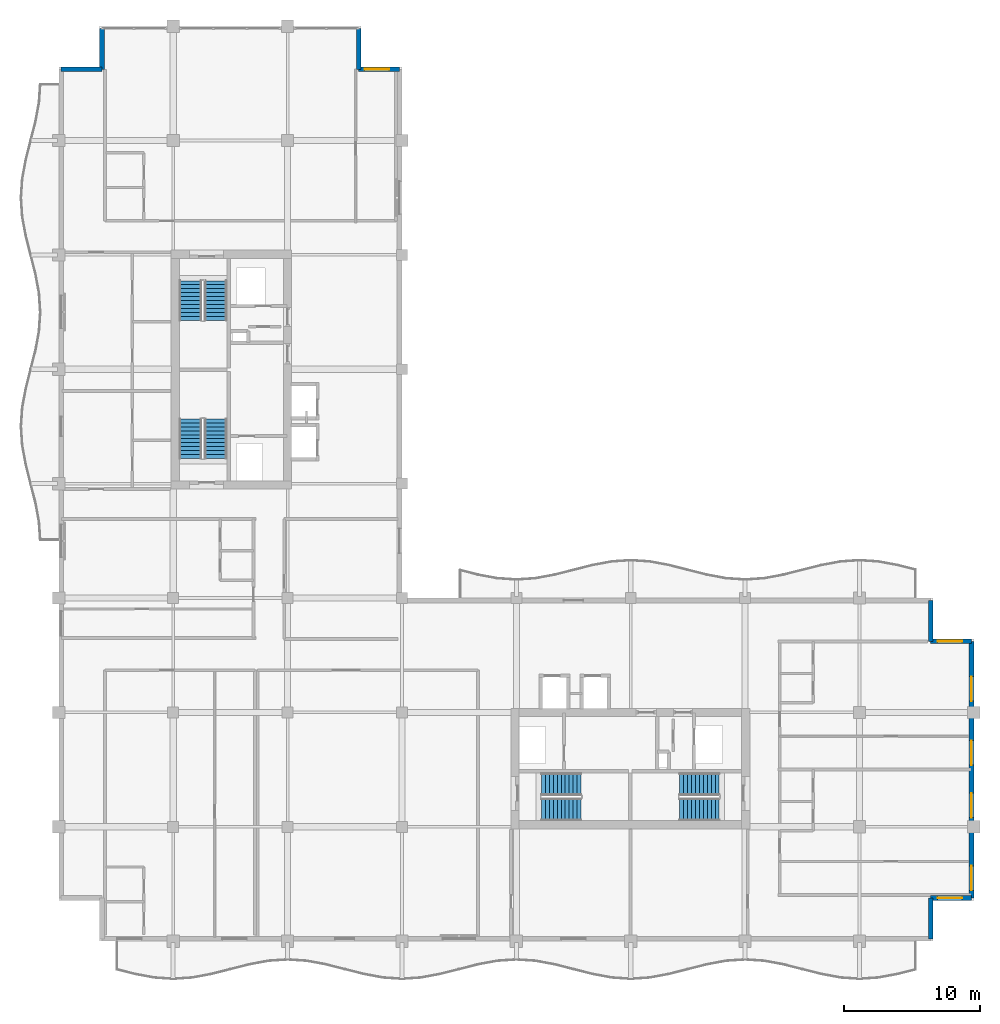
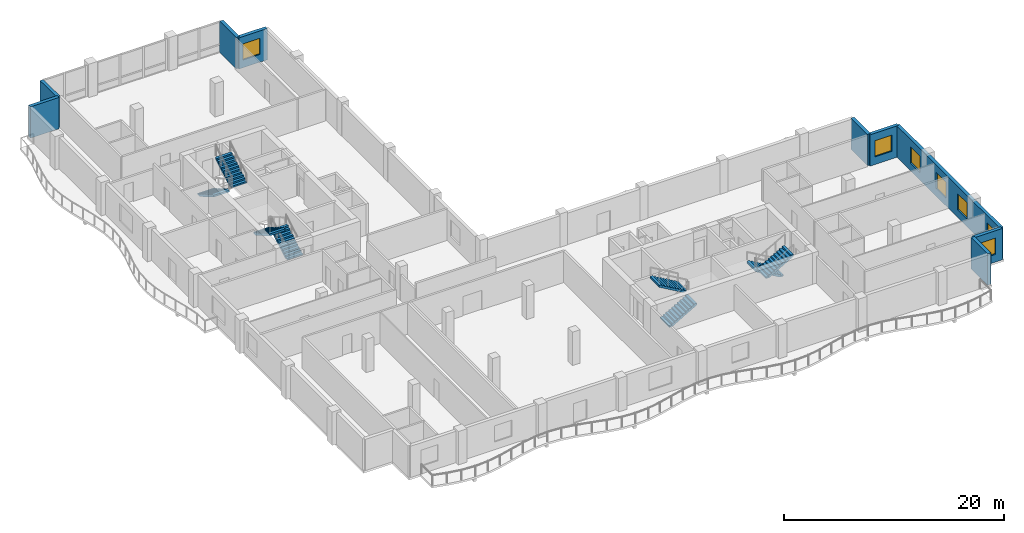
# One storey, part 11 of 16: 9 walls, 8 stair flights, 7 windows, 7 openings, 4 elements without a shape of their own.
"""IFC4 building model written with IfcOpenShell, lengths in metres."""

from ifc_helpers import new_model, si_unit, direction, frame, frame_2d, origin, place, context, subcontext, project, spatial, polyline, rectangle, outline, extrude, material, layer, layer_set, type_object, element, fill, aggregate, save


model = new_model("IFC4")

# Units and contexts
model_context = context("Model", 3, precision=1e-05, world=origin(), true_north=direction((0.0, 1.0)))
body_context = subcontext(model_context, "Body", "Model", "MODEL_VIEW")
ifc_project = project(units=[si_unit("LENGTHUNIT", "METRE"), si_unit("AREAUNIT", "SQUARE_METRE"), si_unit("VOLUMEUNIT", "CUBIC_METRE"), si_unit("PLANEANGLEUNIT", "RADIAN"), si_unit("MASSUNIT", "GRAM", prefix="KILO")], contexts=[model_context])

# Site, building, storey
site_placement = place(None, origin())
site = spatial("IfcSite", under=ifc_project, at=site_placement, CompositionType="ELEMENT")
building_placement = place(site_placement, origin())
building = spatial("IfcBuilding", under=site, at=building_placement, Name="Koriwani Terraces Tower", CompositionType="ELEMENT")
storey_placement = place(building_placement, frame((0.0, 0.0, 267.5)))
storey = spatial("IfcBuildingStorey", under=building, at=storey_placement, Name="L66", CompositionType="ELEMENT", Elevation=267.5)

# Walls
ifc_material_1 = material(Name="Concrete C50/60", Category="concrete")
ifc_layer = layer(ifc_material_1, 0.35009765625, Name="Concrete C50/60")
ifc_layer_set = layer_set([ifc_layer], Name="Concrete C50/60")
wall_type = type_object("IfcWallType", Name="WALL_EXT_BRUTALIST_350", PredefinedType="STANDARD", material=ifc_layer_set)
for number, where, z_axis, x_axis, name in (
    (1, (8.574951171875, 72.425048828125, 0.0), (0.0, 0.0, 1.0), (1.0, 0.0, 0.0), "L66 Fair-Faced Brutalist Exterior Wall (N3)"),
    (2, (11.574951171875, 72.425048828125, 0.0), (0.0, 0.0, 1.0), (0.0, 1.0, 0.0), "L66 Fair-Faced Brutalist Exterior Wall (N4)"),
    (3, (30.425048828125, 75.425048828125, 0.0), (0.0, 0.0, 1.0), (0.0, -1.0, 0.0), "L66 Fair-Faced Brutalist Exterior Wall (N6)"),
):
    element("IfcWall", number, at=place(storey_placement, frame(where, z_axis=z_axis, x_axis=x_axis)), inside=storey, type_object=wall_type, Name=name, PredefinedType="STANDARD", context=body_context, shape_type="SweptSolid", body=[
        extrude(rectangle(XDim=3.0, YDim=0.35009765625, at=frame_2d((1.5, 0.0))), origin(), (0.0, 0.0, 1.0), 3.469970703125),
    ])

# Wall, opening, window
wall_1_placement = place(storey_placement, frame((30.425048828125, 72.425048828125, 0.0), z_axis=(0.0, 0.0, 1.0), x_axis=(1.0, 0.0, 0.0)))
wall_1 = element("IfcWall", 4, at=wall_1_placement, inside=storey, type_object=wall_type, Name="L66 Fair-Faced Brutalist Exterior Wall (N7)", PredefinedType="STANDARD", context=body_context, shape_type="SweptSolid", body=[
    extrude(rectangle(XDim=3.0, YDim=0.35009765625, at=frame_2d((1.5, 0.0))), origin(), (0.0, 0.0, 1.0), 3.469970703125),
])
opening_1_placement = place(wall_1_placement, frame((0.4375, 0.0, 0.85009765625)))
opening_1 = element("IfcOpeningElement", 5, at=opening_1_placement, cuts=wall_1, Name="Opening W-04", PredefinedType="OPENING", context=body_context, shape_type="SweptSolid", body=[
    extrude(rectangle(XDim=1.800048828125, YDim=1.800048828125, at=frame_2d((0.89990234375, 0.89990234375))), frame((0.0, 0.18505859375, 0.0), z_axis=(0.0, -1.0, 0.0), x_axis=(1.0, 0.0, 0.0)), (0.0, 0.0, 1.0), 0.3701171875),
])
ifc_material_2 = material(Name="Tempered Laminated Low-E Glass", Category="glass")
window_type = type_object("IfcWindowType", Name="WIN_RES_BED_1800X1800", PartitioningType="DOUBLE_PANEL_VERTICAL", PredefinedType="WINDOW", material=ifc_material_2)
window_1_placement = place(opening_1_placement, origin())
window_1 = element("IfcWindow", 6, at=window_1_placement, inside=storey, type_object=window_type, Name="L66 Exterior Window (N7-R41)", OverallHeight=1.800048828125, OverallWidth=1.800048828125, PartitioningType="SINGLE_PANEL", PredefinedType="WINDOW", context=body_context, shape_type="SweptSolid", body=[
    extrude(rectangle(XDim=1.800048828125, YDim=1.800048828125, at=frame_2d((0.89990234375, 0.89990234375))), frame((0.0, 0.030029296875, 0.0), z_axis=(0.0, -1.0, 0.0), x_axis=(1.0, 0.0, 0.0)), (0.0, 0.0, 1.0), 0.06005859375),
])
fill(opening_1, window_1)

# Wall
wall_2_placement = place(storey_placement, frame((72.425048828125, 33.425048828125, 0.0), z_axis=(0.0, 0.0, 1.0), x_axis=(0.0, -1.0, 0.0)))
element("IfcWall", 7, at=wall_2_placement, inside=storey, type_object=wall_type, Name="L66 Fair-Faced Brutalist Exterior Wall (N10)", PredefinedType="STANDARD", context=body_context, shape_type="SweptSolid", body=[
    extrude(rectangle(XDim=3.0, YDim=0.35009765625, at=frame_2d((1.5, 0.0))), origin(), (0.0, 0.0, 1.0), 3.469970703125),
])

# Wall, opening, window
wall_3_placement = place(storey_placement, frame((72.425048828125, 30.425048828125, 0.0), z_axis=(0.0, 0.0, 1.0), x_axis=(1.0, 0.0, 0.0)))
wall_3 = element("IfcWall", 8, at=wall_3_placement, inside=storey, type_object=wall_type, Name="L66 Fair-Faced Brutalist Exterior Wall (N11)", PredefinedType="STANDARD", context=body_context, shape_type="SweptSolid", body=[
    extrude(rectangle(XDim=3.0, YDim=0.35009765625, at=frame_2d((1.5, 0.0))), origin(), (0.0, 0.0, 1.0), 3.469970703125),
])
opening_2_placement = place(wall_3_placement, frame((0.507568359375, 0.0, 0.85009765625)))
opening_2 = element("IfcOpeningElement", 9, at=opening_2_placement, cuts=wall_3, Name="Opening W-04", PredefinedType="OPENING", context=body_context, shape_type="SweptSolid", body=[
    extrude(rectangle(XDim=1.800048828125, YDim=1.800048828125, at=frame_2d((0.89990234375, 0.89990234375))), frame((0.0, 0.18505859375, 0.0), z_axis=(0.0, -1.0, 0.0), x_axis=(1.0, 0.0, 0.0)), (0.0, 0.0, 1.0), 0.3701171875),
])
window_2_placement = place(opening_2_placement, origin())
window_2 = element("IfcWindow", 10, at=window_2_placement, inside=storey, type_object=window_type, Name="L66 Exterior Window (N11-R50)", OverallHeight=1.800048828125, OverallWidth=1.800048828125, PartitioningType="SINGLE_PANEL", PredefinedType="WINDOW", context=body_context, shape_type="SweptSolid", body=[
    extrude(rectangle(XDim=1.800048828125, YDim=1.800048828125, at=frame_2d((0.89990234375, 0.89990234375))), frame((0.0, 0.030029296875, 0.0), z_axis=(0.0, -1.0, 0.0), x_axis=(1.0, 0.0, 0.0)), (0.0, 0.0, 1.0), 0.06005859375),
])
fill(opening_2, window_2)

# Wall, openings, windows
wall_4_placement = place(storey_placement, frame((75.425048828125, 30.425048828125, 0.0), z_axis=(0.0, 0.0, 1.0), x_axis=(0.0, -1.0, 0.0)))
wall_4 = element("IfcWall", 11, at=wall_4_placement, inside=storey, type_object=wall_type, Name="L66 Fair-Faced Brutalist Exterior Wall (E_TIP)", PredefinedType="STANDARD", context=body_context, shape_type="SweptSolid", body=[
    extrude(rectangle(XDim=18.85009765625, YDim=0.35009765625, at=frame_2d((9.425048828125, 0.0))), origin(), (0.0, 0.0, 1.0), 3.469970703125),
])
opening_3_placement = place(wall_4_placement, frame((16.5, 0.0, 0.85009765625)))
opening_3 = element("IfcOpeningElement", 12, at=opening_3_placement, cuts=wall_4, Name="Opening W-04", PredefinedType="OPENING", context=body_context, shape_type="SweptSolid", body=[
    extrude(rectangle(XDim=1.800048828125, YDim=1.800048828125, at=frame_2d((0.89990234375, 0.89990234375))), frame((0.0, 0.18505859375, 0.0), z_axis=(0.0, -1.0, 0.0), x_axis=(1.0, 0.0, 0.0)), (0.0, 0.0, 1.0), 0.3701171875),
])
opening_4_placement = place(wall_4_placement, frame((11.14990234375, 0.0, 0.85009765625)))
opening_4 = element("IfcOpeningElement", 13, at=opening_4_placement, cuts=wall_4, Name="Opening W-04", PredefinedType="OPENING", context=body_context, shape_type="SweptSolid", body=[
    extrude(rectangle(XDim=1.800048828125, YDim=1.800048828125, at=frame_2d((0.89990234375, 0.89990234375))), frame((0.0, 0.18505859375, 0.0), z_axis=(0.0, -1.0, 0.0), x_axis=(1.0, 0.0, 0.0)), (0.0, 0.0, 1.0), 0.3701171875),
])
opening_5_placement = place(wall_4_placement, frame((7.300048828125, 0.0, 0.85009765625)))
opening_5 = element("IfcOpeningElement", 14, at=opening_5_placement, cuts=wall_4, Name="Opening W-04", PredefinedType="OPENING", context=body_context, shape_type="SweptSolid", body=[
    extrude(rectangle(XDim=1.800048828125, YDim=1.800048828125, at=frame_2d((0.89990234375, 0.89990234375))), frame((0.0, 0.18505859375, 0.0), z_axis=(0.0, -1.0, 0.0), x_axis=(1.0, 0.0, 0.0)), (0.0, 0.0, 1.0), 0.3701171875),
])
opening_6_placement = place(wall_4_placement, frame((2.60009765625, 0.0, 0.85009765625)))
opening_6 = element("IfcOpeningElement", 15, at=opening_6_placement, cuts=wall_4, Name="Opening W-04", PredefinedType="OPENING", context=body_context, shape_type="SweptSolid", body=[
    extrude(rectangle(XDim=1.800048828125, YDim=1.800048828125, at=frame_2d((0.89990234375, 0.89990234375))), frame((0.0, 0.18505859375, 0.0), z_axis=(0.0, -1.0, 0.0), x_axis=(1.0, 0.0, 0.0)), (0.0, 0.0, 1.0), 0.3701171875),
])
window_3_placement = place(opening_3_placement, origin())
window_3 = element("IfcWindow", 16, at=window_3_placement, inside=storey, type_object=window_type, Name="L66 Exterior Window (E_TIP-R45)", OverallHeight=1.800048828125, OverallWidth=1.800048828125, PartitioningType="SINGLE_PANEL", PredefinedType="WINDOW", context=body_context, shape_type="SweptSolid", body=[
    extrude(rectangle(XDim=1.800048828125, YDim=1.800048828125, at=frame_2d((0.89990234375, 0.89990234375))), frame((0.0, 0.030029296875, 0.0), z_axis=(0.0, -1.0, 0.0), x_axis=(1.0, 0.0, 0.0)), (0.0, 0.0, 1.0), 0.06005859375),
])
fill(opening_3, window_3)
window_4_placement = place(opening_4_placement, origin())
window_4 = element("IfcWindow", 17, at=window_4_placement, inside=storey, type_object=window_type, Name="L66 Exterior Window (E_TIP-R46)", OverallHeight=1.800048828125, OverallWidth=1.800048828125, PartitioningType="SINGLE_PANEL", PredefinedType="WINDOW", context=body_context, shape_type="SweptSolid", body=[
    extrude(rectangle(XDim=1.800048828125, YDim=1.800048828125, at=frame_2d((0.89990234375, 0.89990234375))), frame((0.0, 0.030029296875, 0.0), z_axis=(0.0, -1.0, 0.0), x_axis=(1.0, 0.0, 0.0)), (0.0, 0.0, 1.0), 0.06005859375),
])
fill(opening_4, window_4)
window_5_placement = place(opening_5_placement, origin())
window_5 = element("IfcWindow", 18, at=window_5_placement, inside=storey, type_object=window_type, Name="L66 Exterior Window (E_TIP-R49)", OverallHeight=1.800048828125, OverallWidth=1.800048828125, PartitioningType="SINGLE_PANEL", PredefinedType="WINDOW", context=body_context, shape_type="SweptSolid", body=[
    extrude(rectangle(XDim=1.800048828125, YDim=1.800048828125, at=frame_2d((0.89990234375, 0.89990234375))), frame((0.0, 0.030029296875, 0.0), z_axis=(0.0, -1.0, 0.0), x_axis=(1.0, 0.0, 0.0)), (0.0, 0.0, 1.0), 0.06005859375),
])
fill(opening_5, window_5)
window_6_placement = place(opening_6_placement, origin())
window_6 = element("IfcWindow", 19, at=window_6_placement, inside=storey, type_object=window_type, Name="L66 Exterior Window (E_TIP-R50)", OverallHeight=1.800048828125, OverallWidth=1.800048828125, PartitioningType="SINGLE_PANEL", PredefinedType="WINDOW", context=body_context, shape_type="SweptSolid", body=[
    extrude(rectangle(XDim=1.800048828125, YDim=1.800048828125, at=frame_2d((0.89990234375, 0.89990234375))), frame((0.0, 0.030029296875, 0.0), z_axis=(0.0, -1.0, 0.0), x_axis=(1.0, 0.0, 0.0)), (0.0, 0.0, 1.0), 0.06005859375),
])
fill(opening_6, window_6)

# Wall, opening, window
wall_5_placement = place(storey_placement, frame((75.425048828125, 11.574951171875, 0.0), z_axis=(0.0, 0.0, 1.0), x_axis=(-1.0, 0.0, 0.0)))
wall_5 = element("IfcWall", 20, at=wall_5_placement, inside=storey, type_object=wall_type, Name="L66 Fair-Faced Brutalist Exterior Wall (N13)", PredefinedType="STANDARD", context=body_context, shape_type="SweptSolid", body=[
    extrude(rectangle(XDim=3.0, YDim=0.35009765625, at=frame_2d((1.5, 0.0))), origin(), (0.0, 0.0, 1.0), 3.469970703125),
])
opening_7_placement = place(wall_5_placement, frame((0.6923828125, 0.0, 0.85009765625)))
opening_7 = element("IfcOpeningElement", 21, at=opening_7_placement, cuts=wall_5, Name="Opening W-04", PredefinedType="OPENING", context=body_context, shape_type="SweptSolid", body=[
    extrude(rectangle(XDim=1.800048828125, YDim=1.800048828125, at=frame_2d((0.89990234375, 0.89990234375))), frame((0.0, 0.18505859375, 0.0), z_axis=(0.0, -1.0, 0.0), x_axis=(1.0, 0.0, 0.0)), (0.0, 0.0, 1.0), 0.3701171875),
])
window_7_placement = place(opening_7_placement, origin())
window_7 = element("IfcWindow", 22, at=window_7_placement, inside=storey, type_object=window_type, Name="L66 Exterior Window (N13-R45)", OverallHeight=1.800048828125, OverallWidth=1.800048828125, PartitioningType="SINGLE_PANEL", PredefinedType="WINDOW", context=body_context, shape_type="SweptSolid", body=[
    extrude(rectangle(XDim=1.800048828125, YDim=1.800048828125, at=frame_2d((0.89990234375, 0.89990234375))), frame((0.0, 0.030029296875, 0.0), z_axis=(0.0, -1.0, 0.0), x_axis=(1.0, 0.0, 0.0)), (0.0, 0.0, 1.0), 0.06005859375),
])
fill(opening_7, window_7)

# Wall
wall_6_placement = place(storey_placement, frame((72.425048828125, 11.574951171875, 0.0), z_axis=(0.0, 0.0, 1.0), x_axis=(0.0, -1.0, 0.0)))
element("IfcWall", 23, at=wall_6_placement, inside=storey, type_object=wall_type, Name="L66 Fair-Faced Brutalist Exterior Wall (N14)", PredefinedType="STANDARD", context=body_context, shape_type="SweptSolid", body=[
    extrude(rectangle(XDim=3.0, YDim=0.35009765625, at=frame_2d((1.5, 0.0))), origin(), (0.0, 0.0, 1.0), 3.469970703125),
])

# Stair, stair flights
ifc_material_3 = material(Name="Concrete C40/50", Category="concrete")
stair_type = type_object("IfcStairType", Name="STAIR_CORE_DOGLEG_1650", PredefinedType="TWO_STRAIGHT_RUN_STAIR", material=ifc_material_3)
stair_1_placement = place(storey_placement, origin())
stair_1 = element("IfcStair", 24, at=stair_1_placement, inside=storey, type_object=stair_type, Name="L66 West Core Exit Stair 1", PredefinedType="HALF_TURN_STAIR")
stair_flight_type = type_object("IfcStairFlightType", Name="STAIR_FLIGHT_RC_1650", PredefinedType="STRAIGHT", material=ifc_material_3)
stair_flight_1_placement = place(storey_placement, frame((19.925048828125, 43.85009765625, 0.0), z_axis=(0.0, 0.0, 1.0), x_axis=(0.0, 1.0, 0.0)))
stair_flight_1 = element("IfcStairFlight", 25, at=stair_flight_1_placement, type_object=stair_flight_type, Name="ST-W1 flight 1", NumberOfRisers=11, NumberOfTreads=10, PredefinedType="STRAIGHT", RiserHeight=0.168181818, TreadLength=0.29, context=body_context, shape_type="SweptSolid", body=[
    extrude(outline(polyline([(0.0, 0.0), (0.0, 0.168212890625), (0.2900390625, 0.168212890625), (0.2900390625, 0.33642578125), (0.580078125, 0.33642578125), (0.580078125, 0.504638671875), (0.8701171875, 0.504638671875), (0.8701171875, 0.672607421875), (1.159912109375, 0.672607421875), (1.159912109375, 0.8408203125), (1.449951171875, 0.8408203125), (1.449951171875, 1.009033203125), (1.739990234375, 1.009033203125), (1.739990234375, 1.17724609375), (2.030029296875, 1.17724609375), (2.030029296875, 1.345458984375), (2.320068359375, 1.345458984375), (2.320068359375, 1.513671875), (2.610107421875, 1.513671875), (2.610107421875, 1.681884765625), (2.89990234375, 1.681884765625), (2.89990234375, 1.85009765625), (2.89990234375, 1.473876953125), (0.358642578125, 0.0), (0.0, 0.0)])), frame((0.0, 0.824951171875, 0.0), z_axis=(0.0, -1.0, 0.0), x_axis=(1.0, 0.0, 0.0)), (0.0, 0.0, 1.0), 1.64990234375),
])
stair_flight_2_placement = place(storey_placement, frame((18.074951171875, 46.75, 1.85009765625), z_axis=(0.0, 0.0, 1.0), x_axis=(0.0, -1.0, 0.0)))
stair_flight_2 = element("IfcStairFlight", 26, at=stair_flight_2_placement, type_object=stair_flight_type, Name="ST-W1 flight 2", NumberOfRisers=11, NumberOfTreads=10, PredefinedType="STRAIGHT", RiserHeight=0.168181818, TreadLength=0.29, context=body_context, shape_type="SweptSolid", body=[
    extrude(outline(polyline([(0.0, 0.0), (0.0, 0.168212890625), (0.2900390625, 0.168212890625), (0.2900390625, 0.33642578125), (0.580078125, 0.33642578125), (0.580078125, 0.504638671875), (0.8701171875, 0.504638671875), (0.8701171875, 0.672607421875), (1.159912109375, 0.672607421875), (1.159912109375, 0.8408203125), (1.449951171875, 0.8408203125), (1.449951171875, 1.009033203125), (1.739990234375, 1.009033203125), (1.739990234375, 1.17724609375), (2.030029296875, 1.17724609375), (2.030029296875, 1.345458984375), (2.320068359375, 1.345458984375), (2.320068359375, 1.513671875), (2.610107421875, 1.513671875), (2.610107421875, 1.681884765625), (2.89990234375, 1.681884765625), (2.89990234375, 1.85009765625), (2.89990234375, 1.473876953125), (0.358642578125, 0.0), (0.0, 0.0)])), frame((0.0, 0.824951171875, 0.0), z_axis=(0.0, -1.0, 0.0), x_axis=(1.0, 0.0, 0.0)), (0.0, 0.0, 1.0), 1.64990234375),
])
aggregate(stair_1, [stair_flight_1, stair_flight_2])

stair_2_placement = place(storey_placement, origin())
stair_2 = element("IfcStair", 27, at=stair_2_placement, inside=storey, type_object=stair_type, Name="L66 West Core Exit Stair 2", PredefinedType="HALF_TURN_STAIR")
stair_flight_3_placement = place(storey_placement, frame((18.074951171875, 56.89990234375, 0.0), z_axis=(0.0, 0.0, 1.0), x_axis=(0.0, -1.0, 0.0)))
stair_flight_3 = element("IfcStairFlight", 28, at=stair_flight_3_placement, type_object=stair_flight_type, Name="ST-W2 flight 1", NumberOfRisers=11, NumberOfTreads=10, PredefinedType="STRAIGHT", RiserHeight=0.168181818, TreadLength=0.29, context=body_context, shape_type="SweptSolid", body=[
    extrude(outline(polyline([(0.0, 0.0), (0.0, 0.168212890625), (0.2900390625, 0.168212890625), (0.2900390625, 0.33642578125), (0.580078125, 0.33642578125), (0.580078125, 0.504638671875), (0.8701171875, 0.504638671875), (0.8701171875, 0.672607421875), (1.159912109375, 0.672607421875), (1.159912109375, 0.8408203125), (1.449951171875, 0.8408203125), (1.449951171875, 1.009033203125), (1.739990234375, 1.009033203125), (1.739990234375, 1.17724609375), (2.030029296875, 1.17724609375), (2.030029296875, 1.345458984375), (2.320068359375, 1.345458984375), (2.320068359375, 1.513671875), (2.610107421875, 1.513671875), (2.610107421875, 1.681884765625), (2.89990234375, 1.681884765625), (2.89990234375, 1.85009765625), (2.89990234375, 1.473876953125), (0.358642578125, 0.0), (0.0, 0.0)])), frame((0.0, 0.824951171875, 0.0), z_axis=(0.0, -1.0, 0.0), x_axis=(1.0, 0.0, 0.0)), (0.0, 0.0, 1.0), 1.64990234375),
])
stair_flight_4_placement = place(storey_placement, frame((19.925048828125, 54.0, 1.85009765625), z_axis=(0.0, 0.0, 1.0), x_axis=(0.0, 1.0, 0.0)))
stair_flight_4 = element("IfcStairFlight", 29, at=stair_flight_4_placement, type_object=stair_flight_type, Name="ST-W2 flight 2", NumberOfRisers=11, NumberOfTreads=10, PredefinedType="STRAIGHT", RiserHeight=0.168181818, TreadLength=0.29, context=body_context, shape_type="SweptSolid", body=[
    extrude(outline(polyline([(0.0, 0.0), (0.0, 0.168212890625), (0.2900390625, 0.168212890625), (0.2900390625, 0.33642578125), (0.580078125, 0.33642578125), (0.580078125, 0.504638671875), (0.8701171875, 0.504638671875), (0.8701171875, 0.672607421875), (1.159912109375, 0.672607421875), (1.159912109375, 0.8408203125), (1.449951171875, 0.8408203125), (1.449951171875, 1.009033203125), (1.739990234375, 1.009033203125), (1.739990234375, 1.17724609375), (2.030029296875, 1.17724609375), (2.030029296875, 1.345458984375), (2.320068359375, 1.345458984375), (2.320068359375, 1.513671875), (2.610107421875, 1.513671875), (2.610107421875, 1.681884765625), (2.89990234375, 1.681884765625), (2.89990234375, 1.85009765625), (2.89990234375, 1.473876953125), (0.358642578125, 0.0), (0.0, 0.0)])), frame((0.0, 0.824951171875, 0.0), z_axis=(0.0, -1.0, 0.0), x_axis=(1.0, 0.0, 0.0)), (0.0, 0.0, 1.0), 1.64990234375),
])
aggregate(stair_2, [stair_flight_3, stair_flight_4])

stair_3_placement = place(storey_placement, origin())
stair_3 = element("IfcStair", 30, at=stair_3_placement, inside=storey, type_object=stair_type, Name="L66 East Core Exit Stair 1", PredefinedType="HALF_TURN_STAIR")
stair_flight_5_placement = place(storey_placement, frame((43.85009765625, 18.074951171875, 0.0), z_axis=(0.0, 0.0, 1.0), x_axis=(1.0, 0.0, 0.0)))
stair_flight_5 = element("IfcStairFlight", 31, at=stair_flight_5_placement, type_object=stair_flight_type, Name="ST-E1 flight 1", NumberOfRisers=11, NumberOfTreads=10, PredefinedType="STRAIGHT", RiserHeight=0.168181818, TreadLength=0.29, context=body_context, shape_type="SweptSolid", body=[
    extrude(outline(polyline([(0.0, 0.0), (0.0, 0.168212890625), (0.2900390625, 0.168212890625), (0.2900390625, 0.33642578125), (0.580078125, 0.33642578125), (0.580078125, 0.504638671875), (0.8701171875, 0.504638671875), (0.8701171875, 0.672607421875), (1.159912109375, 0.672607421875), (1.159912109375, 0.8408203125), (1.449951171875, 0.8408203125), (1.449951171875, 1.009033203125), (1.739990234375, 1.009033203125), (1.739990234375, 1.17724609375), (2.030029296875, 1.17724609375), (2.030029296875, 1.345458984375), (2.320068359375, 1.345458984375), (2.320068359375, 1.513671875), (2.610107421875, 1.513671875), (2.610107421875, 1.681884765625), (2.89990234375, 1.681884765625), (2.89990234375, 1.85009765625), (2.89990234375, 1.473876953125), (0.358642578125, 0.0), (0.0, 0.0)])), frame((0.0, 0.824951171875, 0.0), z_axis=(0.0, -1.0, 0.0), x_axis=(1.0, 0.0, 0.0)), (0.0, 0.0, 1.0), 1.64990234375),
])
stair_flight_6_placement = place(storey_placement, frame((46.75, 19.925048828125, 1.85009765625), z_axis=(0.0, 0.0, 1.0), x_axis=(-1.0, 0.0, 0.0)))
stair_flight_6 = element("IfcStairFlight", 32, at=stair_flight_6_placement, type_object=stair_flight_type, Name="ST-E1 flight 2", NumberOfRisers=11, NumberOfTreads=10, PredefinedType="STRAIGHT", RiserHeight=0.168181818, TreadLength=0.29, context=body_context, shape_type="SweptSolid", body=[
    extrude(outline(polyline([(0.0, 0.0), (0.0, 0.168212890625), (0.2900390625, 0.168212890625), (0.2900390625, 0.33642578125), (0.580078125, 0.33642578125), (0.580078125, 0.504638671875), (0.8701171875, 0.504638671875), (0.8701171875, 0.672607421875), (1.159912109375, 0.672607421875), (1.159912109375, 0.8408203125), (1.449951171875, 0.8408203125), (1.449951171875, 1.009033203125), (1.739990234375, 1.009033203125), (1.739990234375, 1.17724609375), (2.030029296875, 1.17724609375), (2.030029296875, 1.345458984375), (2.320068359375, 1.345458984375), (2.320068359375, 1.513671875), (2.610107421875, 1.513671875), (2.610107421875, 1.681884765625), (2.89990234375, 1.681884765625), (2.89990234375, 1.85009765625), (2.89990234375, 1.473876953125), (0.358642578125, 0.0), (0.0, 0.0)])), frame((0.0, 0.824951171875, 0.0), z_axis=(0.0, -1.0, 0.0), x_axis=(1.0, 0.0, 0.0)), (0.0, 0.0, 1.0), 1.64990234375),
])
aggregate(stair_3, [stair_flight_5, stair_flight_6])

stair_4_placement = place(storey_placement, origin())
stair_4 = element("IfcStair", 33, at=stair_4_placement, inside=storey, type_object=stair_type, Name="L66 East Core Exit Stair 2", PredefinedType="HALF_TURN_STAIR")
stair_flight_7_placement = place(storey_placement, frame((56.89990234375, 19.925048828125, 0.0), z_axis=(0.0, 0.0, 1.0), x_axis=(-1.0, 0.0, 0.0)))
stair_flight_7 = element("IfcStairFlight", 34, at=stair_flight_7_placement, type_object=stair_flight_type, Name="ST-E2 flight 1", NumberOfRisers=11, NumberOfTreads=10, PredefinedType="STRAIGHT", RiserHeight=0.168181818, TreadLength=0.29, context=body_context, shape_type="SweptSolid", body=[
    extrude(outline(polyline([(0.0, 0.0), (0.0, 0.168212890625), (0.2900390625, 0.168212890625), (0.2900390625, 0.33642578125), (0.580078125, 0.33642578125), (0.580078125, 0.504638671875), (0.8701171875, 0.504638671875), (0.8701171875, 0.672607421875), (1.159912109375, 0.672607421875), (1.159912109375, 0.8408203125), (1.449951171875, 0.8408203125), (1.449951171875, 1.009033203125), (1.739990234375, 1.009033203125), (1.739990234375, 1.17724609375), (2.030029296875, 1.17724609375), (2.030029296875, 1.345458984375), (2.320068359375, 1.345458984375), (2.320068359375, 1.513671875), (2.610107421875, 1.513671875), (2.610107421875, 1.681884765625), (2.89990234375, 1.681884765625), (2.89990234375, 1.85009765625), (2.89990234375, 1.473876953125), (0.358642578125, 0.0), (0.0, 0.0)])), frame((0.0, 0.824951171875, 0.0), z_axis=(0.0, -1.0, 0.0), x_axis=(1.0, 0.0, 0.0)), (0.0, 0.0, 1.0), 1.64990234375),
])
stair_flight_8_placement = place(storey_placement, frame((54.0, 18.074951171875, 1.85009765625), z_axis=(0.0, 0.0, 1.0), x_axis=(1.0, 0.0, 0.0)))
stair_flight_8 = element("IfcStairFlight", 35, at=stair_flight_8_placement, type_object=stair_flight_type, Name="ST-E2 flight 2", NumberOfRisers=11, NumberOfTreads=10, PredefinedType="STRAIGHT", RiserHeight=0.168181818, TreadLength=0.29, context=body_context, shape_type="SweptSolid", body=[
    extrude(outline(polyline([(0.0, 0.0), (0.0, 0.168212890625), (0.2900390625, 0.168212890625), (0.2900390625, 0.33642578125), (0.580078125, 0.33642578125), (0.580078125, 0.504638671875), (0.8701171875, 0.504638671875), (0.8701171875, 0.672607421875), (1.159912109375, 0.672607421875), (1.159912109375, 0.8408203125), (1.449951171875, 0.8408203125), (1.449951171875, 1.009033203125), (1.739990234375, 1.009033203125), (1.739990234375, 1.17724609375), (2.030029296875, 1.17724609375), (2.030029296875, 1.345458984375), (2.320068359375, 1.345458984375), (2.320068359375, 1.513671875), (2.610107421875, 1.513671875), (2.610107421875, 1.681884765625), (2.89990234375, 1.681884765625), (2.89990234375, 1.85009765625), (2.89990234375, 1.473876953125), (0.358642578125, 0.0), (0.0, 0.0)])), frame((0.0, 0.824951171875, 0.0), z_axis=(0.0, -1.0, 0.0), x_axis=(1.0, 0.0, 0.0)), (0.0, 0.0, 1.0), 1.64990234375),
])
aggregate(stair_4, [stair_flight_7, stair_flight_8])

save(model, "model.ifc")
